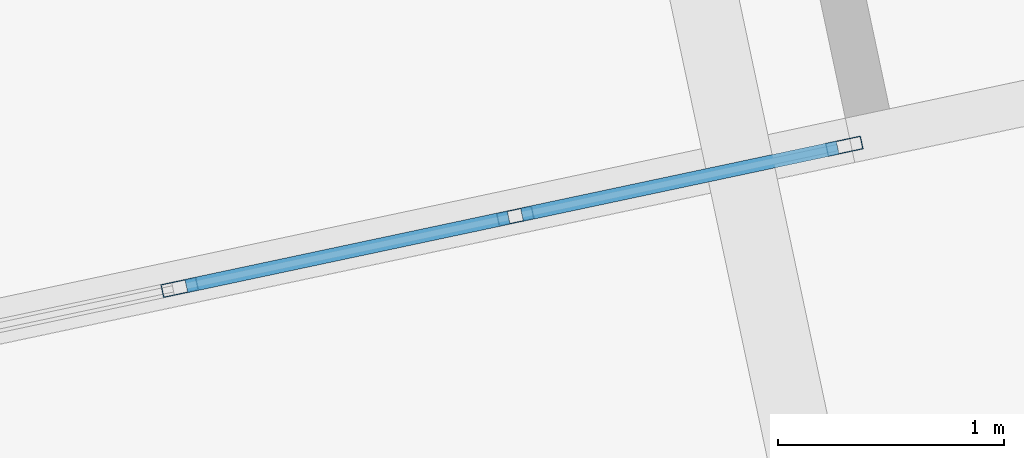
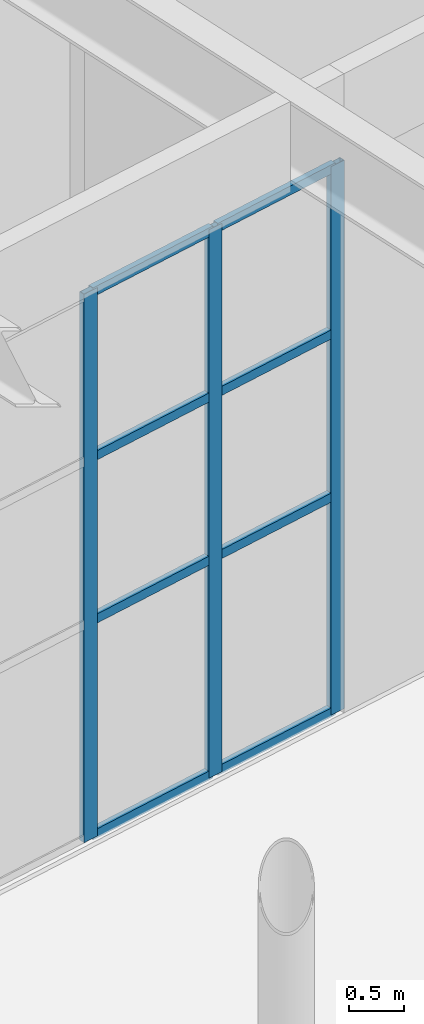
# One storey, part 96 of 239: 11 members, 1 element without a shape of its own.
"""IFC4 building model written with IfcOpenShell, lengths in metres."""

import ifcopenshell
import ifcopenshell.guid

model = None  # the IFC model being written
_history = None  # IfcOwnerHistory: only IFC2X3 demands one
_inside = {}  # id of a spatial element -> (the spatial element, [elements in it])
_under = {}  # id of a project, library or spatial element -> (it, [spatial elements below it])
_declared = {}  # id of a project -> (the project, [libraries it declares])
_typed = {}  # id of a type object -> (the type object, [elements of that type])
_made_of = {}  # id of a material, layer set ... -> (it, [elements and type objects made of it])


def new_model(schema):
    """Start an empty IFC model of exactly this schema.

    Asked for "IFC4X3", IfcOpenShell would pick the latest addendum, in which some entities
    have other attributes; the version numbers below select the first issue.
    IFC2X3 requires an IfcOwnerHistory on every rooted entity: one is made here for all.
    """
    global model, _history
    if schema == "IFC4X3":
        model = ifcopenshell.file(schema_version=(4, 3, 0, 0))
    else:
        model = ifcopenshell.file(schema=schema)
    _inside.clear()
    _under.clear()
    _declared.clear()
    _typed.clear()
    _made_of.clear()
    _history = None
    if model.schema == "IFC2X3":
        org = make("IfcOrganization", Name="unknown")
        user = make(
            "IfcPersonAndOrganization",
            ThePerson=make("IfcPerson", FamilyName="unknown"),
            TheOrganization=org,
        )
        app = make(
            "IfcApplication",
            ApplicationDeveloper=org,
            Version="unknown",
            ApplicationFullName="unknown",
            ApplicationIdentifier="unknown",
        )
        _history = make(
            "IfcOwnerHistory",
            OwningUser=user,
            OwningApplication=app,
            ChangeAction="ADDED",
            CreationDate=0,
        )
    return model


def make(cls, **values):
    """One entity of the class cls with the attributes given. An attribute that is None is left unset."""
    return model.create_entity(
        cls, **{name: value for name, value in values.items() if value is not None}
    )


def rooted(cls, **values):
    """An entity with a GlobalId (a new one), such as an element, a storey or a relation."""
    return make(cls, GlobalId=ifcopenshell.guid.new(), OwnerHistory=_history, **values)


def si_unit(unit_type, name, prefix=None):
    """IfcSIUnit, for example si_unit("LENGTHUNIT", "METRE", prefix="MILLI")."""
    return make("IfcSIUnit", UnitType=unit_type, Prefix=prefix, Name=name)


def assignment(units):
    """IfcUnitAssignment: the units of a project."""
    return None if units is None else make("IfcUnitAssignment", Units=units)


def point(xyz):
    """IfcCartesianPoint."""
    return None if xyz is None else make("IfcCartesianPoint", Coordinates=xyz)


def direction(xyz):
    """IfcDirection."""
    return None if xyz is None else make("IfcDirection", DirectionRatios=xyz)


def frame(location, z_axis=None, x_axis=None):
    """IfcAxis2Placement3D, a coordinate frame: its origin and axes. An axis left out is left unset."""
    return make(
        "IfcAxis2Placement3D",
        Location=point(location),
        Axis=direction(z_axis),
        RefDirection=direction(x_axis),
    )


def frame_2d(location, x_axis=None):
    """IfcAxis2Placement2D, a coordinate frame in the plane: its origin and x axis."""
    return make(
        "IfcAxis2Placement2D", Location=point(location), RefDirection=direction(x_axis)
    )


def origin():
    """The frame at (0, 0, 0) with its axes left unset."""
    return frame((0.0, 0.0, 0.0))


def origin_2d():
    """The frame at (0, 0) in the plane with its x axis left unset."""
    return frame_2d((0.0, 0.0))


def place(relative_to, where):
    """IfcLocalPlacement: puts the frame where relative to a parent placement (None: the world)."""
    return make(
        "IfcLocalPlacement", PlacementRelTo=relative_to, RelativePlacement=where
    )


def context(
    kind, dimensions, precision=None, world=None, true_north=None, identifier=None
):
    """IfcGeometricRepresentationContext, for example the 3D "Model" context."""
    return make(
        "IfcGeometricRepresentationContext",
        ContextIdentifier=identifier,
        ContextType=kind,
        CoordinateSpaceDimension=dimensions,
        Precision=precision,
        WorldCoordinateSystem=world,
        TrueNorth=true_north,
    )


def subcontext(parent, identifier, kind, view, scale=None):
    """IfcGeometricRepresentationSubContext, for example "Body" below "Model"."""
    return make(
        "IfcGeometricRepresentationSubContext",
        ContextIdentifier=identifier,
        ContextType=kind,
        ParentContext=parent,
        TargetScale=scale,
        TargetView=view,
    )


def project(units=None, contexts=None):
    """IfcProject with its units and contexts."""
    return rooted(
        "IfcProject",
        Name="project",
        RepresentationContexts=contexts,
        UnitsInContext=assignment(units),
    )


def spatial(cls, under=None, at=None, **own):
    """A site, building, storey or space (cls), placed at a placement, below another one or the project."""
    s = rooted(cls, ObjectPlacement=at, **own)
    if under is not None:
        _under.setdefault(under.id(), (under, []))[1].append(s)
    return s


def profile(cls, at=None, kind="AREA", **sizes):
    """A parametric profile (cls). Its sizes go by their IFC names, for example OverallWidth=200.0."""
    return make(cls, ProfileType=kind, Position=at, **sizes)


def hollow_rectangle(**sizes):
    """IfcRectangleHollowProfileDef."""
    return profile("IfcRectangleHollowProfileDef", **sizes)


def extrude(swept, where, along, depth):
    """IfcExtrudedAreaSolid: the profile swept, set in the frame where, extruded along a direction by depth."""
    return make(
        "IfcExtrudedAreaSolid",
        SweptArea=swept,
        Position=where,
        ExtrudedDirection=direction(along),
        Depth=depth,
    )


def shape(context_of_items, identifier, shape_type, items):
    """IfcShapeRepresentation: the items that make up one representation, for example the "Body"."""
    return make(
        "IfcShapeRepresentation",
        ContextOfItems=context_of_items,
        RepresentationIdentifier=identifier,
        RepresentationType=shape_type,
        Items=items,
    )


def material(Name=None, Category=None):
    """IfcMaterial."""
    return make("IfcMaterial", Name=Name, Category=Category)


def material_profile(
    of_material, cross_section, Name=None, Category=None, Priority=None
):
    """IfcMaterialProfile: a cross section and its material."""
    return make(
        "IfcMaterialProfile",
        Name=Name,
        Material=of_material,
        Profile=cross_section,
        Priority=Priority,
        Category=Category,
    )


def profile_set(profiles, Name=None, composite=None):
    """IfcMaterialProfileSet."""
    return make(
        "IfcMaterialProfileSet",
        Name=Name,
        MaterialProfiles=profiles,
        CompositeProfile=composite,
    )


def made_of(thing, what):
    """Note that an element or type object is made of a material, layer set ...; save() writes the relation."""
    if what is not None:
        _made_of.setdefault(what.id(), (what, []))[1].append(thing)
    return thing


def type_object(cls, material=None, **own):
    """A type object (cls), such as IfcWallType, which elements share."""
    return made_of(rooted(cls, **own), material)


def element(
    cls,
    number,
    at=None,
    inside=None,
    cuts=None,
    type_object=None,
    material=None,
    context=None,
    identifier="Body",
    shape_type=None,
    held_by="IfcProductDefinitionShape",
    body=None,
    shapes=None,
    **own,
):
    """One element of the class cls, such as IfcWall. Its Tag is "e" and its number.

    at: its placement. inside: the storey or other place that contains it. cuts: it is an
    opening in that element (IfcRelVoidsElement). A single representation is given by context,
    identifier, shape_type and body (its items); several are given by shapes. held_by: the class
    of the entity that holds the representations. save() writes the other relations.
    """
    e = rooted(cls, Tag="e%d" % number, ObjectPlacement=at, **own)
    if body is not None:
        shapes = [shape(context, identifier, shape_type, body)]
    if shapes is not None:
        e.Representation = make(held_by, Representations=shapes)
    if inside is not None:
        _inside.setdefault(inside.id(), (inside, []))[1].append(e)
    if cuts is not None:
        rooted(
            "IfcRelVoidsElement", RelatingBuildingElement=cuts, RelatedOpeningElement=e
        )
    if type_object is not None:
        _typed.setdefault(type_object.id(), (type_object, []))[1].append(e)
    return made_of(e, material)


def aggregate(whole, parts):
    """IfcRelAggregates: a whole, such as a stair, and the parts it consists of."""
    return rooted("IfcRelAggregates", RelatingObject=whole, RelatedObjects=parts)


def save(model, path):
    """Write the relations noted so far, then the file.

    IfcRelAggregates (storeys below a building ...), IfcRelContainedInSpatialStructure (elements
    in a storey), IfcRelDefinesByType, IfcRelAssociatesMaterial and IfcRelDeclares: one each for
    every whole, place, type object, material and project.
    """
    for whole, parts in _under.values():
        aggregate(whole, parts)
    for where, things in _inside.values():
        rooted(
            "IfcRelContainedInSpatialStructure",
            RelatedElements=things,
            RelatingStructure=where,
        )
    for kind, things in _typed.values():
        rooted("IfcRelDefinesByType", RelatedObjects=things, RelatingType=kind)
    for what, things in _made_of.values():
        rooted("IfcRelAssociatesMaterial", RelatedObjects=things, RelatingMaterial=what)
    for by, libraries in _declared.values():
        rooted("IfcRelDeclares", RelatingContext=by, RelatedDefinitions=libraries)
    model.write(path)


model = new_model("IFC4")

# Units and contexts
model_context = context("Model", 3, precision=1e-05, world=origin(), true_north=direction((0.0, 1.0)))
body_context = subcontext(model_context, "Body", "Model", "MODEL_VIEW")
ifc_project = project(units=[si_unit("LENGTHUNIT", "METRE"), si_unit("AREAUNIT", "SQUARE_METRE"), si_unit("VOLUMEUNIT", "CUBIC_METRE"), si_unit("PLANEANGLEUNIT", "RADIAN"), si_unit("MASSUNIT", "GRAM", prefix="KILO")], contexts=[model_context])

# Site, building, storey
site_placement = place(None, origin())
site = spatial("IfcSite", under=ifc_project, at=site_placement, CompositionType="ELEMENT")
building_placement = place(site_placement, origin())
building = spatial("IfcBuilding", under=site, at=building_placement, Name="Okhra Congress Centre", CompositionType="ELEMENT")
storey_placement = place(building_placement, origin())
storey = spatial("IfcBuildingStorey", under=building, at=storey_placement, Name="L00", CompositionType="ELEMENT", Elevation=0.0)

# Curtain wall, members
ifc_material_1 = material(Name="Aluminium curtain wall, triple glazing", Category="aluminium")
curtain_wall_type = type_object("IfcCurtainWallType", Name="Curtain wall 1500 module", PredefinedType="NOTDEFINED", material=ifc_material_1)
curtain_wall_placement = place(storey_placement, origin())
curtain_wall = element("IfcCurtainWall", 1, at=curtain_wall_placement, inside=storey, type_object=curtain_wall_type, Name="Ground curtain wall S4", PredefinedType="NOTDEFINED")
ifc_material_2 = material(Name="Aluminium alloy EN AW-6063 T66", Category="aluminium")
ifc_material_profile_1 = material_profile(ifc_material_2, hollow_rectangle(XDim=0.06005859375, YDim=0.159912109375, WallThickness=0.00390625, at=origin_2d()), Name="RHS 60x160x4")
ifc_profile_set_1 = profile_set([ifc_material_profile_1], Name="Aluminium alloy EN AW-6063 T66")
member_type_1 = type_object("IfcMemberType", Name="Curtain wall mullion 60x160", PredefinedType="MULLION", material=ifc_profile_set_1)
member_1_placement = place(storey_placement, frame((185.171142578125, 58.163818359375, 0.0), z_axis=(0.0, 0.0, 1.0), x_axis=(-0.207911690818, 0.978147600734, 0.0)))
member_1 = element("IfcMember", 2, at=member_1_placement, type_object=member_type_1, Name="CW7 mullion 26", PredefinedType="MULLION", context=body_context, shape_type="SweptSolid", body=[
    extrude(hollow_rectangle(XDim=0.06005859375, YDim=0.159912109375, WallThickness=0.00390625, at=origin_2d()), origin(), (0.0, 0.0, 1.0), 6.050048828125),
])
member_2_placement = place(storey_placement, frame((186.655029296875, 58.479248046875, 0.0), z_axis=(0.0, 0.0, 1.0), x_axis=(-0.207911690818, 0.978147600734, 0.0)))
member_2 = element("IfcMember", 3, at=member_2_placement, type_object=member_type_1, Name="CW7 mullion 27", PredefinedType="MULLION", context=body_context, shape_type="SweptSolid", body=[
    extrude(hollow_rectangle(XDim=0.06005859375, YDim=0.159912109375, WallThickness=0.00390625, at=origin_2d()), origin(), (0.0, 0.0, 1.0), 6.050048828125),
])
member_3_placement = place(storey_placement, frame((188.109619140625, 58.788330078125, 0.0), z_axis=(0.0, 0.0, 1.0), x_axis=(-0.207911690818, 0.978147600734, 0.0)))
member_3 = element("IfcMember", 4, at=member_3_placement, type_object=member_type_1, Name="CW7 mullion 28", PredefinedType="MULLION", context=body_context, shape_type="SweptSolid", body=[
    extrude(hollow_rectangle(XDim=0.06005859375, YDim=0.159912109375, WallThickness=0.00390625, at=origin_2d()), origin(), (0.0, 0.0, 1.0), 6.050048828125),
])
ifc_material_profile_2 = material_profile(ifc_material_2, hollow_rectangle(XDim=0.06005859375, YDim=0.10009765625, WallThickness=0.00390625, at=origin_2d()), Name="RHS 60x100x4")
ifc_profile_set_2 = profile_set([ifc_material_profile_2], Name="Aluminium alloy EN AW-6063 T66")
member_type_2 = type_object("IfcMemberType", Name="Curtain wall transom 60x100", PredefinedType="USERDEFINED", material=ifc_profile_set_2)
member_4_placement = place(storey_placement, frame((185.200439453125, 58.169921875, 0.030029296875), z_axis=(0.978144370647, 0.2079268866, 0.0), x_axis=(-0.2079268866, 0.978144370647, 0.0)))
member_4 = element("IfcMember", 5, at=member_4_placement, type_object=member_type_2, Name="CW7 transom 26.1", ObjectType="TRANSOM", PredefinedType="USERDEFINED", context=body_context, shape_type="SweptSolid", body=[
    extrude(hollow_rectangle(XDim=0.06005859375, YDim=0.10009765625, WallThickness=0.00390625, at=origin_2d()), origin(), (0.0, 0.0, 1.0), 1.45703125),
])
member_5_placement = place(storey_placement, frame((185.200439453125, 58.169921875, 2.39990234375), z_axis=(0.978144370647, 0.2079268866, 0.0), x_axis=(-0.2079268866, 0.978144370647, 0.0)))
member_5 = element("IfcMember", 6, at=member_5_placement, type_object=member_type_2, Name="CW7 transom 26.2", ObjectType="TRANSOM", PredefinedType="USERDEFINED", context=body_context, shape_type="SweptSolid", body=[
    extrude(hollow_rectangle(XDim=0.06005859375, YDim=0.10009765625, WallThickness=0.00390625, at=origin_2d()), origin(), (0.0, 0.0, 1.0), 1.45703125),
])
member_6_placement = place(storey_placement, frame((185.200439453125, 58.169921875, 4.199951171875), z_axis=(0.978144370647, 0.2079268866, 0.0), x_axis=(-0.2079268866, 0.978144370647, 0.0)))
member_6 = element("IfcMember", 7, at=member_6_placement, type_object=member_type_2, Name="CW7 transom 26.3", ObjectType="TRANSOM", PredefinedType="USERDEFINED", context=body_context, shape_type="SweptSolid", body=[
    extrude(hollow_rectangle(XDim=0.06005859375, YDim=0.10009765625, WallThickness=0.00390625, at=origin_2d()), origin(), (0.0, 0.0, 1.0), 1.45703125),
])
member_7_placement = place(storey_placement, frame((185.200439453125, 58.169921875, 6.02001953125), z_axis=(0.978144370647, 0.2079268866, 0.0), x_axis=(-0.2079268866, 0.978144370647, 0.0)))
member_7 = element("IfcMember", 8, at=member_7_placement, type_object=member_type_2, Name="CW7 transom 26.4", ObjectType="TRANSOM", PredefinedType="USERDEFINED", context=body_context, shape_type="SweptSolid", body=[
    extrude(hollow_rectangle(XDim=0.06005859375, YDim=0.10009765625, WallThickness=0.00390625, at=origin_2d()), origin(), (0.0, 0.0, 1.0), 1.45703125),
])
member_8_placement = place(storey_placement, frame((186.684326171875, 58.4853515625, 0.030029296875), z_axis=(0.978161459428, 0.207846480099, 0.0), x_axis=(-0.207846480099, 0.978161459428, 0.0)))
member_8 = element("IfcMember", 9, at=member_8_placement, type_object=member_type_2, Name="CW7 transom 27.1", ObjectType="TRANSOM", PredefinedType="USERDEFINED", context=body_context, shape_type="SweptSolid", body=[
    extrude(hollow_rectangle(XDim=0.06005859375, YDim=0.10009765625, WallThickness=0.00390625, at=origin_2d()), origin(), (0.0, 0.0, 1.0), 1.42724609375),
])
member_9_placement = place(storey_placement, frame((186.684326171875, 58.4853515625, 2.39990234375), z_axis=(0.978161459428, 0.207846480099, 0.0), x_axis=(-0.207846480099, 0.978161459428, 0.0)))
member_9 = element("IfcMember", 10, at=member_9_placement, type_object=member_type_2, Name="CW7 transom 27.2", ObjectType="TRANSOM", PredefinedType="USERDEFINED", context=body_context, shape_type="SweptSolid", body=[
    extrude(hollow_rectangle(XDim=0.06005859375, YDim=0.10009765625, WallThickness=0.00390625, at=origin_2d()), origin(), (0.0, 0.0, 1.0), 1.42724609375),
])
member_10_placement = place(storey_placement, frame((186.684326171875, 58.4853515625, 4.199951171875), z_axis=(0.978161459428, 0.207846480099, 0.0), x_axis=(-0.207846480099, 0.978161459428, 0.0)))
member_10 = element("IfcMember", 11, at=member_10_placement, type_object=member_type_2, Name="CW7 transom 27.3", ObjectType="TRANSOM", PredefinedType="USERDEFINED", context=body_context, shape_type="SweptSolid", body=[
    extrude(hollow_rectangle(XDim=0.06005859375, YDim=0.10009765625, WallThickness=0.00390625, at=origin_2d()), origin(), (0.0, 0.0, 1.0), 1.42724609375),
])
member_11_placement = place(storey_placement, frame((186.684326171875, 58.4853515625, 6.02001953125), z_axis=(0.978161459428, 0.207846480099, 0.0), x_axis=(-0.207846480099, 0.978161459428, 0.0)))
member_11 = element("IfcMember", 12, at=member_11_placement, type_object=member_type_2, Name="CW7 transom 27.4", ObjectType="TRANSOM", PredefinedType="USERDEFINED", context=body_context, shape_type="SweptSolid", body=[
    extrude(hollow_rectangle(XDim=0.06005859375, YDim=0.10009765625, WallThickness=0.00390625, at=origin_2d()), origin(), (0.0, 0.0, 1.0), 1.42724609375),
])
aggregate(curtain_wall, [member_1, member_2, member_3, member_4, member_5, member_6, member_7, member_8, member_9, member_10, member_11])

save(model, "model.ifc")
